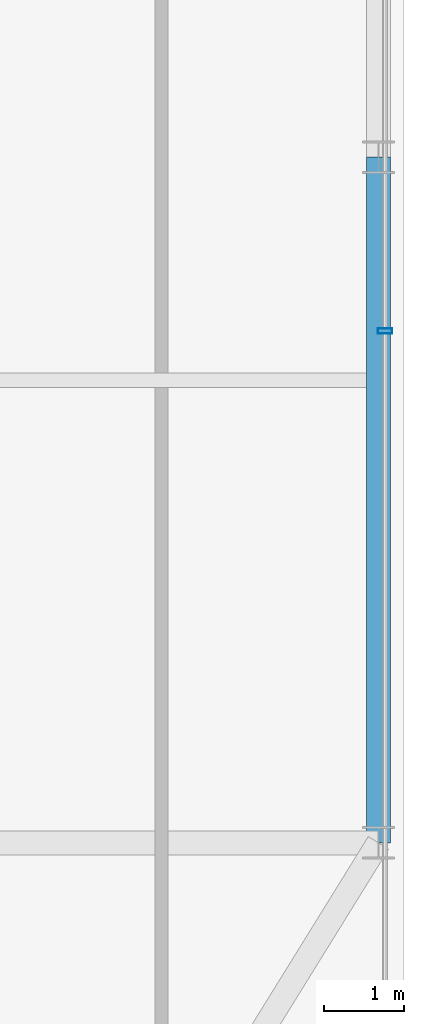
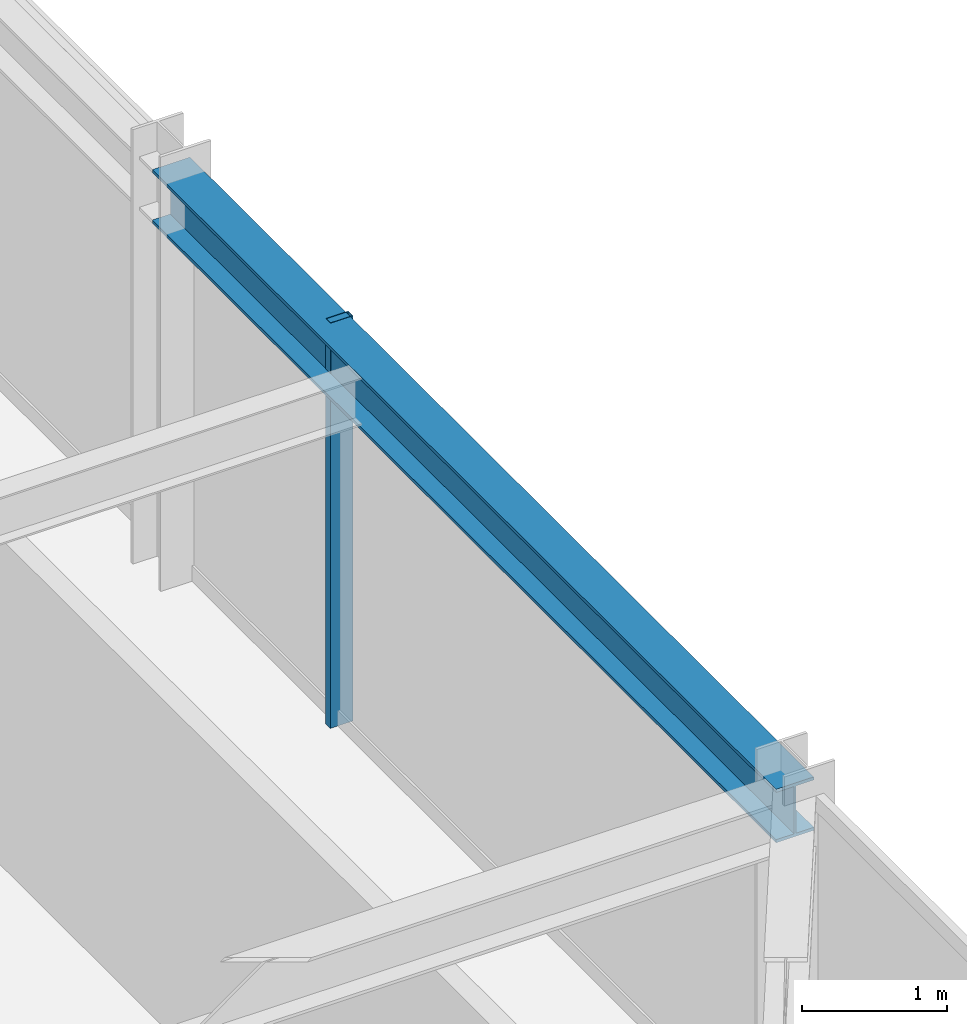
# One storey, part 15 of 41: 1 beam, 1 member, 1 element without a shape of its own.
"""IFC4 building model written with IfcOpenShell, lengths in metres."""

from ifc_helpers import new_model, si_unit, direction, frame, origin, origin_2d, place, context, subcontext, project, spatial, hollow_rectangle, i_section, extrude, source, transform, mapped, material, material_profile, profile_set, type_object, element, aggregate, save


model = new_model("IFC4")

# Units and contexts
model_context = context("Model", 3, precision=1e-05, world=origin(), true_north=direction((0.0, 1.0)))
body_context = subcontext(model_context, "Body", "Model", "MODEL_VIEW")
ifc_project = project(units=[si_unit("LENGTHUNIT", "METRE"), si_unit("AREAUNIT", "SQUARE_METRE"), si_unit("VOLUMEUNIT", "CUBIC_METRE"), si_unit("PLANEANGLEUNIT", "RADIAN"), si_unit("MASSUNIT", "GRAM", prefix="KILO")], contexts=[model_context])

# Site, building, storey
site_placement = place(None, origin())
site = spatial("IfcSite", under=ifc_project, at=site_placement, CompositionType="ELEMENT")
building_placement = place(site_placement, origin())
building = spatial("IfcBuilding", under=site, at=building_placement, Name="Nahalor Promenade Grand Hotel", CompositionType="ELEMENT")
storey_placement = place(building_placement, frame((0.0, 0.0, 227.10009765625)))
storey = spatial("IfcBuildingStorey", under=building, at=storey_placement, Name="L58", CompositionType="ELEMENT", Elevation=227.10009765625)

# Beam
ifc_material_1 = material(Name="Steel S355JR", Category="steel")
ifc_material_profile_1 = material_profile(ifc_material_1, i_section(OverallWidth=0.3, OverallDepth=0.45, WebThickness=0.014, FlangeThickness=0.026, at=origin_2d()), Name="HEB 450")
ifc_profile_set_1 = profile_set([ifc_material_profile_1], Name="Steel S355JR")
beam_type = type_object("IfcBeamType", Name="Beam-Spandrel-HEB450", PredefinedType="SPANDREL", material=ifc_profile_set_1)
shared_shape_1 = source(origin(), body_context, "Body", "SweptSolid", [
    extrude(i_section(OverallWidth=0.3, OverallDepth=0.45, WebThickness=0.014, FlangeThickness=0.026, at=origin_2d()), origin(), (0.0, 0.0, 1.0), 8.60009765625),
])
beam_placement = place(storey_placement, frame((23.8798828125, -17.0, 3.184814453125), z_axis=(0.0, 1.0, 0.0), x_axis=(-1.0, 0.0, 0.0)))
element("IfcBeam", 1, at=beam_placement, inside=storey, type_object=beam_type, Name="BM-L58-SP-E-0", PredefinedType="SPANDREL", context=body_context, shape_type="MappedRepresentation", body=[
    mapped(shared_shape_1, transform((0.0, 0.0, 0.0), scale=1.0)),
])

# Curtain wall, member
ifc_material_2 = material(Name="Anodised Bronze Aluminium EN AW-6063 T6", Category="aluminium")
curtain_wall_type = type_object("IfcCurtainWallType", Name="CW2 Typical Hotel Flush Bronze Unitised Curtain Wall", PredefinedType="USERDEFINED", material=ifc_material_2)
curtain_wall_placement = place(storey_placement, origin())
curtain_wall = element("IfcCurtainWall", 2, at=curtain_wall_placement, inside=storey, type_object=curtain_wall_type, Name="L58 Curtain Wall CW-L58-E-1", ObjectType="UNITISED_CURTAIN_WALL", PredefinedType="USERDEFINED")
ifc_material_profile_2 = material_profile(ifc_material_2, hollow_rectangle(XDim=0.065, YDim=0.18, WallThickness=0.004, at=origin_2d()), Name="CWM 65x180x4")
ifc_profile_set_2 = profile_set([ifc_material_profile_2], Name="Anodised Bronze Aluminium EN AW-6063 T6")
member_type = type_object("IfcMemberType", Name="CWM2 Typical Bronze Mullion 65x180", PredefinedType="MULLION", material=ifc_profile_set_2)
shared_shape_2 = source(origin(), body_context, "Body", "SweptSolid", [
    extrude(hollow_rectangle(XDim=0.065, YDim=0.18, WallThickness=0.004, at=origin_2d()), origin(), (0.0, 0.0, 1.0), 3.409912109375),
])
member_placement = place(storey_placement, frame((23.9599609375, -10.580078125, 0.0), z_axis=(0.0, 0.0, 1.0), x_axis=(0.0, 1.0, 0.0)))
member = element("IfcMember", 3, at=member_placement, type_object=member_type, Name="CW-L58-E-1 Mullion 1", PredefinedType="MULLION", context=body_context, shape_type="MappedRepresentation", body=[
    mapped(shared_shape_2, transform((0.0, 0.0, 0.0), scale=1.0)),
])
aggregate(curtain_wall, [member])

save(model, "model.ifc")
